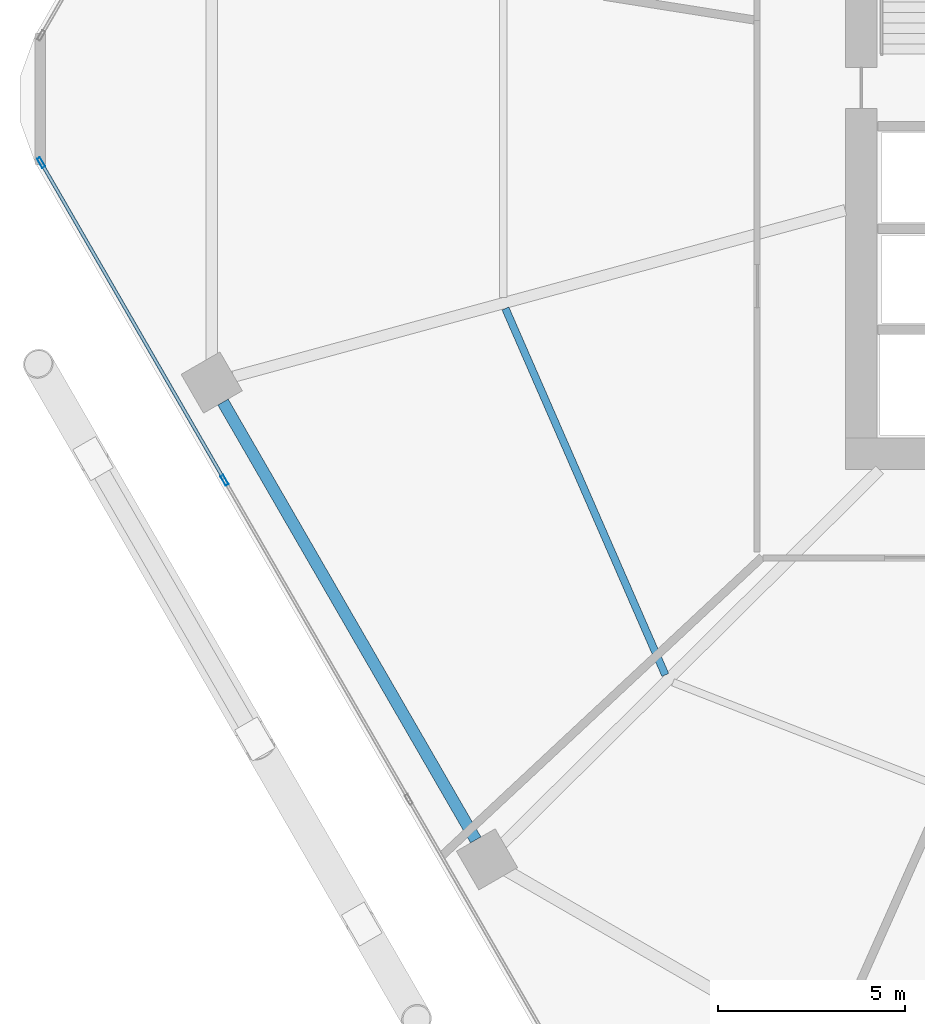
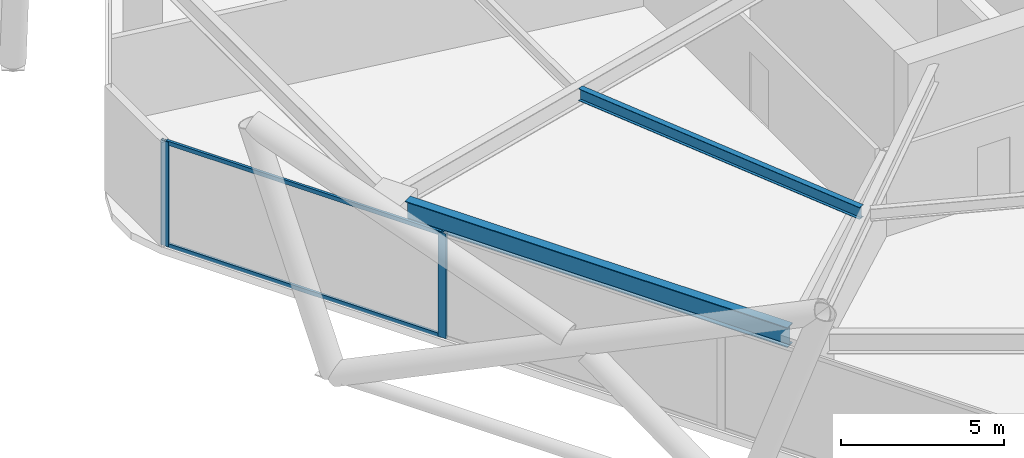
# One storey, part 5 of 28: 4 members, 2 beams, 1 element without a shape of its own.
"""IFC4 building model written with IfcOpenShell, lengths in metres."""

from ifc_helpers import new_model, si_unit, direction, frame, origin, origin_2d, place, context, subcontext, project, spatial, hollow_rectangle, i_section, extrude, material, material_profile, profile_set, type_object, element, aggregate, save


model = new_model("IFC4")

# Units and contexts
model_context = context("Model", 3, precision=1e-05, world=origin(), true_north=direction((0.0, 1.0)))
body_context = subcontext(model_context, "Body", "Model", "MODEL_VIEW")
ifc_project = project(units=[si_unit("LENGTHUNIT", "METRE"), si_unit("AREAUNIT", "SQUARE_METRE"), si_unit("VOLUMEUNIT", "CUBIC_METRE"), si_unit("PLANEANGLEUNIT", "RADIAN"), si_unit("MASSUNIT", "GRAM", prefix="KILO")], contexts=[model_context])

# Site, building, storey
site_placement = place(None, origin())
site = spatial("IfcSite", under=ifc_project, at=site_placement, CompositionType="ELEMENT")
building_placement = place(site_placement, origin())
building = spatial("IfcBuilding", under=site, at=building_placement, Name="Zuhravey Tower", CompositionType="ELEMENT")
storey_placement = place(building_placement, frame((0.0, 0.0, 66.60009765625)))
storey = spatial("IfcBuildingStorey", under=building, at=storey_placement, Name="L16", CompositionType="ELEMENT", Elevation=66.60009765625)

# Curtain wall, members
ifc_material_1 = material(Name="Thermally broken anodised aluminium", Category="aluminium")
curtain_wall_type = type_object("IfcCurtainWallType", Name="School Low-E Unitised Curtain Wall CW1", PredefinedType="NOTDEFINED", material=ifc_material_1)
curtain_wall_placement = place(storey_placement, origin())
curtain_wall = element("IfcCurtainWall", 1, at=curtain_wall_placement, inside=storey, type_object=curtain_wall_type, Name="L16 CW1 CW-L16-F4-1", PredefinedType="NOTDEFINED")
ifc_material_2 = material(Name="Anodised aluminium", Category="aluminium")
ifc_material_profile_1 = material_profile(ifc_material_2, hollow_rectangle(XDim=0.090087890625, YDim=0.284912109375, WallThickness=0.0048828125, at=origin_2d()), Name="ALU-RHS-90x285x5")
ifc_profile_set_1 = profile_set([ifc_material_profile_1], Name="Anodised aluminium")
member_type_1 = type_object("IfcMemberType", Name="Curtain-Wall Mullion 90x180", PredefinedType="MULLION", material=ifc_profile_set_1)
member_1_placement = place(storey_placement, frame((8.45458984375, 21.79296875, 0.0), z_axis=(0.0, 0.0, 1.0), x_axis=(-0.86602552265, -0.499999794119, 0.0)))
member_1 = element("IfcMember", 2, at=member_1_placement, type_object=member_type_1, Name="CW1 mullion 3", PredefinedType="MULLION", context=body_context, shape_type="SweptSolid", body=[
    extrude(hollow_rectangle(XDim=0.090087890625, YDim=0.284912109375, WallThickness=0.0048828125, at=origin_2d()), origin(), (0.0, 0.0, 1.0), 3.919921875),
])
member_2_placement = place(storey_placement, frame((3.5439453125, 30.298583984375, 0.0), z_axis=(0.0, 0.0, 1.0), x_axis=(-0.86602552265, -0.499999794119, 0.0)))
member_2 = element("IfcMember", 3, at=member_2_placement, type_object=member_type_1, Name="CW1 mullion 4", PredefinedType="MULLION", context=body_context, shape_type="SweptSolid", body=[
    extrude(hollow_rectangle(XDim=0.090087890625, YDim=0.284912109375, WallThickness=0.0048828125, at=origin_2d()), origin(), (0.0, 0.0, 1.0), 3.919921875),
])
ifc_material_profile_2 = material_profile(ifc_material_2, hollow_rectangle(XDim=0.090087890625, YDim=0.14990234375, WallThickness=0.0048828125, at=origin_2d()), Name="ALU-RHS-90x150x5")
ifc_profile_set_2 = profile_set([ifc_material_profile_2], Name="Anodised aluminium")
member_type_2 = type_object("IfcMemberType", Name="Curtain-Wall Transom 90x150", PredefinedType="USERDEFINED", material=ifc_profile_set_2)
member_3_placement = place(storey_placement, frame((8.43212890625, 21.83203125, 0.044921875), z_axis=(-0.500008393077, 0.866020557985, 0.0), x_axis=(-0.866020557985, -0.500008393077, 0.0)))
member_3 = element("IfcMember", 4, at=member_3_placement, type_object=member_type_2, Name="CW1 transom 3.1", ObjectType="TRANSOM", PredefinedType="USERDEFINED", context=body_context, shape_type="SweptSolid", body=[
    extrude(hollow_rectangle(XDim=0.090087890625, YDim=0.14990234375, WallThickness=0.0048828125, at=origin_2d()), origin(), (0.0, 0.0, 1.0), 9.731201171875),
])
member_4_placement = place(storey_placement, frame((8.43212890625, 21.83203125, 3.875), z_axis=(-0.500008393077, 0.866020557985, 0.0), x_axis=(-0.866020557985, -0.500008393077, 0.0)))
member_4 = element("IfcMember", 5, at=member_4_placement, type_object=member_type_2, Name="CW1 transom 3.2", ObjectType="TRANSOM", PredefinedType="USERDEFINED", context=body_context, shape_type="SweptSolid", body=[
    extrude(hollow_rectangle(XDim=0.090087890625, YDim=0.14990234375, WallThickness=0.0048828125, at=origin_2d()), origin(), (0.0, 0.0, 1.0), 9.731201171875),
])
aggregate(curtain_wall, [member_1, member_2, member_3, member_4])

# Beams
ifc_material_3 = material(Name="Steel SM355", Category="steel")
ifc_material_profile_3 = material_profile(ifc_material_3, i_section(OverallWidth=0.320068359375, OverallDepth=0.75, WebThickness=0.013916015625, FlangeThickness=0.02490234375, at=origin_2d()), Name="H-750x320x14x25")
ifc_profile_set_3 = profile_set([ifc_material_profile_3], Name="Steel SM355")
beam_type_1 = type_object("IfcBeamType", Name="Perimeter Ring Beam H750x320", PredefinedType="BEAM", material=ifc_profile_set_3)
beam_1_placement = place(storey_placement, frame((8.412353515625, 23.88623046875, 3.544921875), z_axis=(0.499999877243, -0.866025474658, 0.0), x_axis=(0.866025474658, 0.499999877243, 0.0)))
element("IfcBeam", 6, at=beam_1_placement, inside=storey, type_object=beam_type_1, Name="L16 PB1 BM-L16-PB-07", PredefinedType="BEAM", context=body_context, shape_type="SweptSolid", body=[
    extrude(i_section(OverallWidth=0.320068359375, OverallDepth=0.75, WebThickness=0.013916015625, FlangeThickness=0.02490234375, at=origin_2d()), origin(), (0.0, 0.0, 1.0), 13.5341796875),
])
ifc_material_profile_4 = material_profile(ifc_material_3, i_section(OverallWidth=0.199951171875, OverallDepth=0.449951171875, WebThickness=0.009033203125, FlangeThickness=0.013916015625, at=origin_2d()), Name="H-450x200x9x14")
ifc_profile_set_4 = profile_set([ifc_material_profile_4], Name="Steel SM355")
beam_type_2 = type_object("IfcBeamType", Name="Secondary Floor Joist H450x200", PredefinedType="JOIST", material=ifc_profile_set_4)
beam_2_placement = place(storey_placement, frame((15.974609375, 26.39111328125, 3.69482421875), z_axis=(0.399923551578, -0.916548500022, 0.0), x_axis=(0.916548500022, 0.399923551578, 0.0)))
element("IfcBeam", 7, at=beam_2_placement, inside=storey, type_object=beam_type_2, Name="L16 SJ1 BM-L16-SJ-07-1", PredefinedType="JOIST", context=body_context, shape_type="SweptSolid", body=[
    extrude(i_section(OverallWidth=0.199951171875, OverallDepth=0.449951171875, WebThickness=0.009033203125, FlangeThickness=0.013916015625, at=origin_2d()), origin(), (0.0, 0.0, 1.0), 10.70263671875),
])

save(model, "model.ifc")
